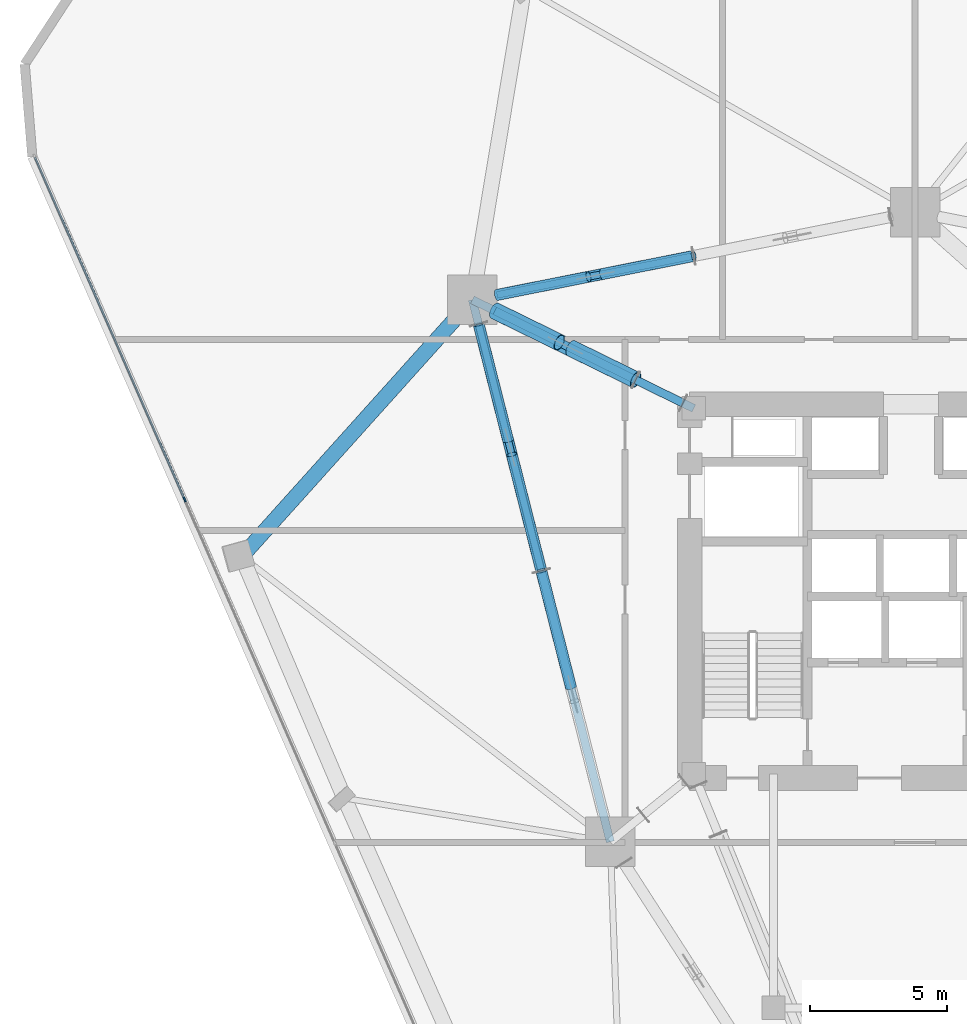
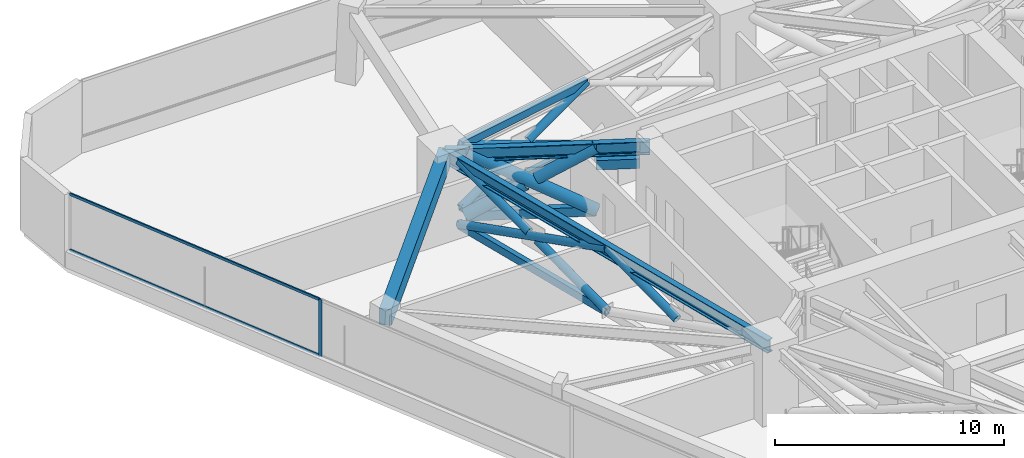
# One storey, part 8 of 20: 21 members, 3 beams, 1 element without a shape of its own.
"""IFC4 building model written with IfcOpenShell, lengths in metres."""

from ifc_helpers import new_model, si_unit, direction, frame, origin, origin_2d, place, context, subcontext, project, spatial, rectangle, hollow_rectangle, hollow_circle, i_section, extrude, material, layer, layer_set, material_profile, profile_set, type_object, element, aggregate, save


model = new_model("IFC4")

# Units and contexts
model_context = context("Model", 3, precision=1e-05, world=origin(), true_north=direction((0.0, 1.0)))
body_context = subcontext(model_context, "Body", "Model", "MODEL_VIEW")
ifc_project = project(units=[si_unit("LENGTHUNIT", "METRE"), si_unit("AREAUNIT", "SQUARE_METRE"), si_unit("VOLUMEUNIT", "CUBIC_METRE"), si_unit("PLANEANGLEUNIT", "RADIAN"), si_unit("MASSUNIT", "GRAM", prefix="KILO")], contexts=[model_context])

# Site, building, storey
site_placement = place(None, origin())
site = spatial("IfcSite", under=ifc_project, at=site_placement, CompositionType="ELEMENT")
building_placement = place(site_placement, origin())
building = spatial("IfcBuilding", under=site, at=building_placement, Name="Talyreon Biosciences Tower", CompositionType="ELEMENT")
storey_placement = place(building_placement, frame((0.0, 0.0, 66.60009765625)))
storey = spatial("IfcBuildingStorey", under=building, at=storey_placement, Name="L17", CompositionType="ELEMENT", Elevation=66.60009765625)

# Members
ifc_material_1 = material(Name="Steel SM355", Category="steel")
ifc_material_profile_1 = material_profile(ifc_material_1, hollow_circle(Radius=0.203125, WallThickness=0.01611328125, at=origin_2d()), Name="CHS 406.4x16")
ifc_profile_set_1 = profile_set([ifc_material_profile_1], Name="Steel SM355")
member_type_1 = type_object("IfcMemberType", Name="BeltBrace_CHS406", PredefinedType="BRACE", material=ifc_profile_set_1)
member_1_placement = place(storey_placement, frame((57.94873046875, 80.19384765625, 0.239990234375), z_axis=(-0.891031361206, -0.176528807928, 0.418211302238), x_axis=(0.194340124852, -0.98093420568, 0.0)))
element("IfcMember", 1, at=member_1_placement, inside=storey, type_object=member_type_1, Name="L17 Continuous Diagonal BELT-L17-B4S2A", PredefinedType="BRACE", context=body_context, shape_type="SweptSolid", body=[
    extrude(hollow_circle(Radius=0.203125, WallThickness=0.01611328125, at=origin_2d()), origin(), (0.0, 0.0, 1.0), 8.033935546875),
])
for number, where, z_axis, x_axis, name in (
    (2, (50.790283203125, 78.775634765625, 0.239990234375), (0.891046073694, 0.176523681437, 0.418182118756), (-0.194331606682, 0.980935893239, 0.0), "L17 Split Diagonal BELT-L17-B4S2B-Lower"),
    (3, (54.618896484375, 79.5341796875, 2.037109375), (0.891046073694, 0.176523681437, 0.418182118756), (-0.194331606682, 0.980935893239, 0.0), "L17 Split Diagonal BELT-L17-B4S2B-Upper"),
):
    element("IfcMember", number, at=place(storey_placement, frame(where, z_axis=z_axis, x_axis=x_axis)), inside=storey, type_object=member_type_1, Name=name, PredefinedType="BRACE", context=body_context, shape_type="SweptSolid", body=[
        extrude(hollow_circle(Radius=0.203125, WallThickness=0.01611328125, at=origin_2d()), origin(), (0.0, 0.0, 1.0), 3.737060546875),
    ])
member_2_placement = place(storey_placement, frame((50.1220703125, 77.716796875, 0.239990234375), z_axis=(0.231759370817, -0.911056641468, 0.340974178018), x_axis=(0.969134278925, 0.246533465097, 0.0)))
element("IfcMember", 4, at=member_2_placement, inside=storey, type_object=member_type_1, Name="L17 Continuous Diagonal BELT-L17-B5S1A", PredefinedType="BRACE", context=body_context, shape_type="SweptSolid", body=[
    extrude(hollow_circle(Radius=0.203125, WallThickness=0.01611328125, at=origin_2d()), origin(), (0.0, 0.0, 1.0), 9.853759765625),
])
member_3_placement = place(storey_placement, frame((52.40576171875, 68.739501953125, 0.239990234375), z_axis=(-0.231745068683, 0.911061264119, 0.340971547439), x_axis=(-0.969138212624, -0.246518001031, 0.0)))
element("IfcMember", 5, at=member_3_placement, inside=storey, type_object=member_type_1, Name="L17 Split Diagonal BELT-L17-B5S1B-Lower", PredefinedType="BRACE", context=body_context, shape_type="SweptSolid", body=[
    extrude(hollow_circle(Radius=0.203125, WallThickness=0.01611328125, at=origin_2d()), origin(), (0.0, 0.0, 1.0), 4.64697265625),
])
for number, where, z_axis, x_axis, name in (
    (6, (51.198974609375, 73.4833984375, 2.015380859375), (-0.231756161713, 0.911052333734, 0.340987868854), (-0.969134816026, -0.246531353719, 0.0), "L17 Split Diagonal BELT-L17-B5S1B-Upper"),
    (7, (53.482666015625, 64.506103515625, 2.015380859375), (-0.231756161713, 0.911052333734, 0.340987868854), (-0.969134816026, -0.246531353719, 0.0), "L17 Split Diagonal BELT-L17-B5S2B-Upper"),
):
    element("IfcMember", number, at=place(storey_placement, frame(where, z_axis=z_axis, x_axis=x_axis)), inside=storey, type_object=member_type_1, Name=name, PredefinedType="BRACE", context=body_context, shape_type="SweptSolid", body=[
        extrude(hollow_circle(Radius=0.203125, WallThickness=0.01611328125, at=origin_2d()), origin(), (0.0, 0.0, 1.0), 4.646728515625),
    ])
ifc_material_profile_2 = material_profile(ifc_material_1, hollow_rectangle(XDim=0.25, YDim=0.39990234375, WallThickness=0.01611328125, at=origin_2d()), Name="RHS 400x250x16")
ifc_profile_set_2 = profile_set([ifc_material_profile_2], Name="Steel SM355")
member_type_2 = type_object("IfcMemberType", Name="BeltChord_RHS400x250", PredefinedType="CHORD", material=ifc_profile_set_2)
for number, where, z_axis, x_axis, name in (
    (8, (57.94873046875, 80.19384765625, 0.239990234375), (-0.98093420568, -0.194340124852, 0.0), (0.194340124852, -0.98093420568, 0.0), "L17 Truss Bottom Chord BELT-L17-B4S2"),
    (9, (57.94873046875, 80.19384765625, 3.599853515625), (-0.98093420568, -0.194340124852, 0.0), (0.194340124852, -0.98093420568, 0.0), "L17 Truss Top Chord BELT-L17-B4S2"),
):
    element("IfcMember", number, at=place(storey_placement, frame(where, z_axis=z_axis, x_axis=x_axis)), inside=storey, type_object=member_type_2, Name=name, PredefinedType="CHORD", context=body_context, shape_type="SweptSolid", body=[
        extrude(hollow_rectangle(XDim=0.25, YDim=0.39990234375, WallThickness=0.01611328125, at=origin_2d()), origin(), (0.0, 0.0, 1.0), 7.297607421875),
    ])
for number, where, z_axis, x_axis, name in (
    (10, (50.1220703125, 77.716796875, 0.239990234375), (0.246533465097, -0.969134278925, 0.0), (0.969134278925, 0.246533465097, 0.0), "L17 Truss Bottom Chord BELT-L17-B5S1"),
    (11, (50.1220703125, 77.716796875, 3.599853515625), (0.246533465097, -0.969134278925, 0.0), (0.969134278925, 0.246533465097, 0.0), "L17 Truss Top Chord BELT-L17-B5S1"),
):
    element("IfcMember", number, at=place(storey_placement, frame(where, z_axis=z_axis, x_axis=x_axis)), inside=storey, type_object=member_type_2, Name=name, PredefinedType="CHORD", context=body_context, shape_type="SweptSolid", body=[
        extrude(hollow_rectangle(XDim=0.25, YDim=0.39990234375, WallThickness=0.01611328125, at=origin_2d()), origin(), (0.0, 0.0, 1.0), 9.26318359375),
    ])

# Curtain wall, members
ifc_material_2 = material(Name="Thermally broken aluminium and low-E glazing", Category="aluminium")
ifc_layer = layer(ifc_material_2, 0.195068359375)
ifc_layer_set = layer_set([ifc_layer], Name="Thermally broken aluminium and low-E glazing")
curtain_wall_type = type_object("IfcCurtainWallType", Name="CurtainWall_Zone1WetLab", PredefinedType="NOTDEFINED", material=ifc_layer_set)
curtain_wall_placement = place(storey_placement, origin())
curtain_wall = element("IfcCurtainWall", 12, at=curtain_wall_placement, inside=storey, type_object=curtain_wall_type, Name="L17 Unitised Curtain Wall FCW-L17-00", PredefinedType="NOTDEFINED")
ifc_material_3 = material(Name="Anodised thermally broken aluminium", Category="aluminium")
ifc_material_profile_3 = material_profile(ifc_material_3, rectangle(XDim=0.06494140625, YDim=0.179931640625, at=origin_2d()), Name="ALUM MULLION 65x180")
ifc_profile_set_3 = profile_set([ifc_material_profile_3], Name="Anodised thermally broken aluminium")
member_type_3 = type_object("IfcMemberType", Name="CWMullion_65x180", PredefinedType="MULLION", material=ifc_profile_set_3)
member_4_placement = place(storey_placement, frame((39.42919921875, 71.33251953125, 0.809814453125), z_axis=(0.0, 0.0, 1.0), x_axis=(-0.916151953082, -0.400831135099, 0.0)))
member_4 = element("IfcMember", 13, at=member_4_placement, type_object=member_type_3, Name="CW2 mullion 5", PredefinedType="MULLION", context=body_context, shape_type="SweptSolid", body=[
    extrude(rectangle(XDim=0.06494140625, YDim=0.179931640625, at=origin_2d()), origin(), (0.0, 0.0, 1.0), 3.0400390625),
])
ifc_material_profile_4 = material_profile(ifc_material_3, rectangle(XDim=0.06494140625, YDim=0.139892578125, at=origin_2d()), Name="ALUM TRANSOM 65x140")
ifc_profile_set_4 = profile_set([ifc_material_profile_4], Name="Anodised thermally broken aluminium")
member_type_4 = type_object("IfcMemberType", Name="CWTransom_65x140", PredefinedType="USERDEFINED", material=ifc_profile_set_4)
member_5_placement = place(storey_placement, frame((39.416259765625, 71.362060546875, 0.84228515625), z_axis=(-0.400830177027, 0.916152372253, 0.0), x_axis=(-0.916152372253, -0.400830177027, 0.0)))
member_5 = element("IfcMember", 14, at=member_5_placement, type_object=member_type_4, Name="CW2 transom 5.1", ObjectType="TRANSOM", PredefinedType="USERDEFINED", context=body_context, shape_type="SweptSolid", body=[
    extrude(rectangle(XDim=0.06494140625, YDim=0.139892578125, at=origin_2d()), origin(), (0.0, 0.0, 1.0), 13.549072265625),
])
member_6_placement = place(storey_placement, frame((39.416259765625, 71.362060546875, 3.8173828125), z_axis=(-0.400830177027, 0.916152372253, 0.0), x_axis=(-0.916152372253, -0.400830177027, 0.0)))
member_6 = element("IfcMember", 15, at=member_6_placement, type_object=member_type_4, Name="CW2 transom 5.2", ObjectType="TRANSOM", PredefinedType="USERDEFINED", context=body_context, shape_type="SweptSolid", body=[
    extrude(rectangle(XDim=0.06494140625, YDim=0.139892578125, at=origin_2d()), origin(), (0.0, 0.0, 1.0), 13.549072265625),
])
aggregate(curtain_wall, [member_4, member_5, member_6])

# Beam
ifc_material_4 = material(Name="Precast concrete C45/55", Category="concrete")
ifc_material_profile_5 = material_profile(ifc_material_4, rectangle(XDim=0.550048828125, YDim=0.85009765625, at=origin_2d()), Name="RCB 550x850")
ifc_profile_set_5 = profile_set([ifc_material_profile_5], Name="Precast concrete C45/55")
beam_type_1 = type_object("IfcBeamType", Name="ExpressedSpandrel_550x850", PredefinedType="SPANDREL", material=ifc_profile_set_5)
beam_1_placement = place(storey_placement, frame((49.897705078125, 78.5986328125, 3.4248046875), z_axis=(-0.668531688498, -0.743683656855, 0.0), x_axis=(0.743683656855, -0.668531688498, 0.0)))
element("IfcBeam", 16, at=beam_1_placement, inside=storey, type_object=beam_type_1, Name="L17 Expressed Horizontal Concrete Spandrel 09", PredefinedType="SPANDREL", context=body_context, shape_type="SweptSolid", body=[
    extrude(rectangle(XDim=0.550048828125, YDim=0.85009765625, at=origin_2d()), origin(), (0.0, 0.0, 1.0), 12.555908203125),
])

# Members
ifc_material_profile_6 = material_profile(ifc_material_1, hollow_circle(Radius=0.304931640625, WallThickness=0.02490234375, at=origin_2d()), Name="CHS 610x25")
ifc_profile_set_6 = profile_set([ifc_material_profile_6], Name="Steel SM355")
member_type_5 = type_object("IfcMemberType", Name="OutriggerBrace_CHS610", PredefinedType="BRACE", material=ifc_profile_set_6)
member_7_placement = place(storey_placement, frame((55.840087890625, 75.684814453125, 0.239990234375), z_axis=(-0.773792800782, 0.379414265564, 0.507237140343), x_axis=(-0.440254576107, -0.897872991139, 0.0)))
element("IfcMember", 17, at=member_7_placement, inside=storey, type_object=member_type_5, Name="L17 Continuous Diagonal OUT-L17-R5A", PredefinedType="BRACE", context=body_context, shape_type="SweptSolid", body=[
    extrude(hollow_circle(Radius=0.304931640625, WallThickness=0.02490234375, at=origin_2d()), origin(), (0.0, 0.0, 1.0), 6.623779296875),
])
member_8_placement = place(storey_placement, frame((50.714599609375, 78.197998046875, 0.239990234375), z_axis=(0.773779789709, -0.379441187336, 0.507236850388), x_axis=(0.440285727684, 0.897857715898, 0.0)))
element("IfcMember", 18, at=member_8_placement, inside=storey, type_object=member_type_5, Name="L17 Split Diagonal OUT-L17-R5B-Lower", PredefinedType="BRACE", context=body_context, shape_type="SweptSolid", body=[
    extrude(hollow_circle(Radius=0.304931640625, WallThickness=0.02490234375, at=origin_2d()), origin(), (0.0, 0.0, 1.0), 3.03173828125),
])
member_9_placement = place(storey_placement, frame((53.493896484375, 76.835205078125, 2.06201171875), z_axis=(0.773812099169, -0.379417545399, 0.507205245855), x_axis=(0.440248792574, 0.897875826959, 0.0)))
element("IfcMember", 19, at=member_9_placement, inside=storey, type_object=member_type_5, Name="L17 Split Diagonal OUT-L17-R5B-Upper", PredefinedType="BRACE", context=body_context, shape_type="SweptSolid", body=[
    extrude(hollow_circle(Radius=0.304931640625, WallThickness=0.02490234375, at=origin_2d()), origin(), (0.0, 0.0, 1.0), 3.031982421875),
])
ifc_material_profile_7 = material_profile(ifc_material_1, hollow_rectangle(XDim=0.300048828125, YDim=0.5, WallThickness=0.02001953125, at=origin_2d()), Name="RHS 500x300x20")
ifc_profile_set_7 = profile_set([ifc_material_profile_7], Name="Steel SM355")
member_type_6 = type_object("IfcMemberType", Name="OutriggerChord_RHS500x300", PredefinedType="CHORD", material=ifc_profile_set_7)
for number, where, z_axis, x_axis, name in (
    (20, (57.559326171875, 74.841552734375, 3.599853515625), (-0.897817943666, 0.4403668244, 0.0), (-0.4403668244, -0.897817943666, 0.0), "L17 Outrigger Core Top Tie 5"),
    (21, (57.559326171875, 74.841552734375, 2.699951171875), (-0.897817943666, 0.4403668244, 0.0), (-0.4403668244, -0.897817943666, 0.0), "L17 Outrigger Core Plenum Tie 5"),
):
    element("IfcMember", number, at=place(storey_placement, frame(where, z_axis=z_axis, x_axis=x_axis)), inside=storey, type_object=member_type_6, Name=name, PredefinedType="CHORD", context=body_context, shape_type="SweptSolid", body=[
        extrude(hollow_rectangle(XDim=0.300048828125, YDim=0.5, WallThickness=0.02001953125, at=origin_2d()), origin(), (0.0, 0.0, 1.0), 1.914794921875),
    ])
for number, where, z_axis, x_axis, name in (
    (22, (55.840087890625, 75.684814453125, 0.239990234375), (-0.897872991139, 0.440254576107, 0.0), (-0.440254576107, -0.897872991139, 0.0), "L17 Truss Bottom Chord OUT-L17-R5"),
    (23, (55.840087890625, 75.684814453125, 3.599853515625), (-0.897872991139, 0.440254576107, 0.0), (-0.440254576107, -0.897872991139, 0.0), "L17 Truss Top Chord OUT-L17-R5"),
):
    element("IfcMember", number, at=place(storey_placement, frame(where, z_axis=z_axis, x_axis=x_axis)), inside=storey, type_object=member_type_6, Name=name, PredefinedType="CHORD", context=body_context, shape_type="SweptSolid", body=[
        extrude(hollow_rectangle(XDim=0.300048828125, YDim=0.5, WallThickness=0.02001953125, at=origin_2d()), origin(), (0.0, 0.0, 1.0), 5.70849609375),
    ])

# Beams
ifc_material_profile_8 = material_profile(ifc_material_1, i_section(OverallWidth=0.300048828125, OverallDepth=0.699951171875, WebThickness=0.01708984375, FlangeThickness=0.031982421875, FilletRadius=0.027099609375, at=origin_2d()), Name="HE700B")
ifc_profile_set_8 = profile_set([ifc_material_profile_8], Name="Steel SM355")
beam_type_2 = type_object("IfcBeamType", Name="SteelGirder_HE700B", PredefinedType="BEAM", material=ifc_profile_set_8)
beam_2_placement = place(storey_placement, frame((49.897705078125, 78.5986328125, 3.5), z_axis=(0.246537082299, -0.969133358755, 0.0), x_axis=(0.969133358755, 0.246537082299, 0.0)))
element("IfcBeam", 24, at=beam_2_placement, inside=storey, type_object=beam_type_2, Name="L17 Mega-Ring Girder 5", PredefinedType="BEAM", context=body_context, shape_type="SweptSolid", body=[
    extrude(i_section(OverallWidth=0.300048828125, OverallDepth=0.699951171875, WebThickness=0.01708984375, FlangeThickness=0.031982421875, FilletRadius=0.027099609375, at=origin_2d()), origin(), (0.0, 0.0, 1.0), 20.34619140625),
])
beam_3_placement = place(storey_placement, frame((57.949951171875, 74.64990234375, 3.5), z_axis=(-0.897852360314, 0.440296648952, 0.0), x_axis=(-0.440296648952, -0.897852360314, 0.0)))
element("IfcBeam", 25, at=beam_3_placement, inside=storey, type_object=beam_type_2, Name="L17 Radial Primary Girder 5", PredefinedType="BEAM", context=body_context, shape_type="SweptSolid", body=[
    extrude(i_section(OverallWidth=0.300048828125, OverallDepth=0.699951171875, WebThickness=0.01708984375, FlangeThickness=0.031982421875, FilletRadius=0.027099609375, at=origin_2d()), origin(), (0.0, 0.0, 1.0), 8.96826171875),
])

save(model, "model.ifc")
